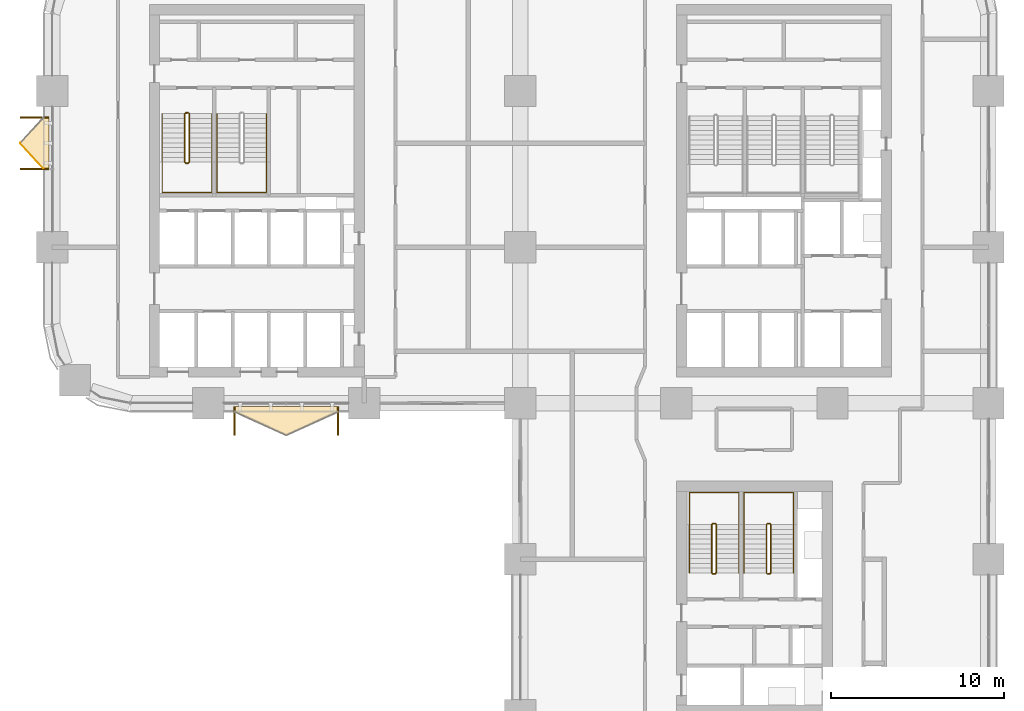
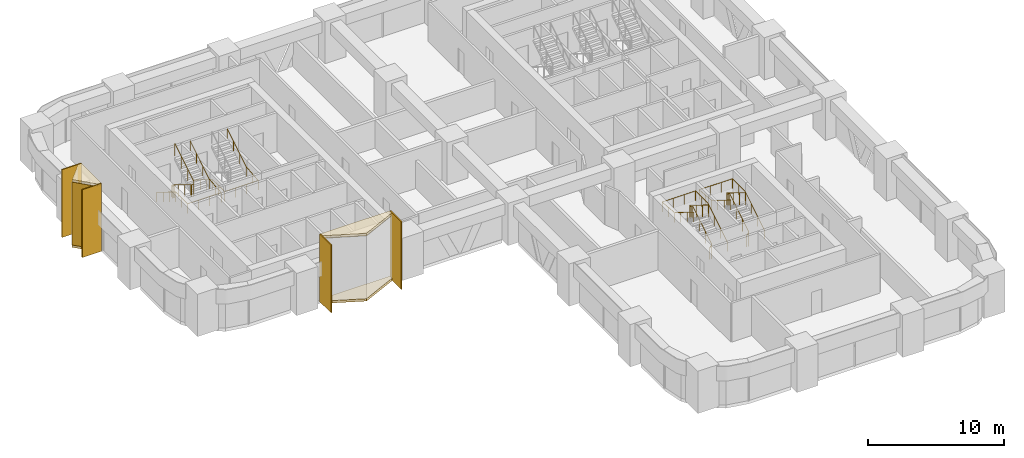
# One storey, part 17 of 18: 9 coverings, 7 railings.
"""IFC4 building model written with IfcOpenShell, lengths in metres."""

from ifc_helpers import new_model, si_unit, direction, frame, origin, origin_2d, place, context, subcontext, project, spatial, polyline, rectangle, circle, outline, extrude, material, layer, layer_set, type_object, element, save


model = new_model("IFC4")

# Units and contexts
model_context = context("Model", 3, precision=1e-05, world=origin(), true_north=direction((0.0, 1.0)))
body_context = subcontext(model_context, "Body", "Model", "MODEL_VIEW")
ifc_project = project(units=[si_unit("LENGTHUNIT", "METRE"), si_unit("AREAUNIT", "SQUARE_METRE"), si_unit("VOLUMEUNIT", "CUBIC_METRE"), si_unit("PLANEANGLEUNIT", "RADIAN"), si_unit("MASSUNIT", "GRAM", prefix="KILO")], contexts=[model_context])

# Site, building, storey
site_placement = place(None, origin())
site = spatial("IfcSite", under=ifc_project, at=site_placement, CompositionType="ELEMENT")
building_placement = place(site_placement, origin())
building = spatial("IfcBuilding", under=site, at=building_placement, Name="Tessera Arch", CompositionType="ELEMENT")
storey_placement = place(building_placement, frame((0.0, 0.0, 115.800048828125)))
storey = spatial("IfcBuildingStorey", under=building, at=storey_placement, Name="L27", CompositionType="ELEMENT", Elevation=115.800048828125)

# Railings
ifc_material_1 = material(Name="Painted steel balustrade", Category="steel")
railing_type_1 = type_object("IfcRailingType", Name="Stair guard 1100", PredefinedType="GUARDRAIL", material=ifc_material_1)
railing_1_placement = place(storey_placement, frame((7.699951171875, 43.75, 0.0)))
element("IfcRailing", 1, at=railing_1_placement, inside=storey, type_object=railing_type_1, Name="L27 S2a stair guard 1", PredefinedType="GUARDRAIL", context=body_context, shape_type="SweptSolid", body=[
    extrude(circle(Radius=0.02392578125, at=origin_2d()), frame((-0.00390625, 0.0, 1.076171875), z_axis=(1.0, 0.0, 0.0), x_axis=(0.0, 1.0, 0.0)), (0.0, 0.0, 1.0), 0.158203125),
    extrude(circle(Radius=0.02392578125, at=origin_2d()), frame((0.153076171875, 0.000732421875, 1.073486328125), z_axis=(-0.744141464035, -0.186035366009, 0.641595140332), x_axis=(0.242535625036, -0.970142500145, 0.0)), (0.0, 0.0, 1.0), 0.277099609375),
    extrude(circle(Radius=0.02392578125, at=origin_2d()), frame((-0.050048828125, -0.046630859375, 1.24658203125), z_axis=(0.0, -0.851089632645, 0.525020415988), x_axis=(1.0, 0.0, 0.0)), (0.0, 0.0, 1.0), 3.2978515625),
    extrude(circle(Radius=0.02392578125, at=origin_2d()), frame((-0.052978515625, -2.84716796875, 2.97607421875), z_axis=(0.708833529934, -0.705375805398, 0.0), x_axis=(0.705375805398, 0.708833529934, 0.0)), (0.0, 0.0, 1.0), 0.07861328125),
    extrude(circle(Radius=0.02392578125, at=origin_2d()), frame((-0.00390625, -2.89990234375, 2.97607421875), z_axis=(1.0, 0.0, 0.0), x_axis=(0.0, 1.0, 0.0)), (0.0, 0.0, 1.0), 0.158203125),
    extrude(circle(Radius=0.02392578125, at=origin_2d()), frame((0.149169921875, -2.90087890625, 2.97216796875), z_axis=(0.266832911964, 0.266832911964, 0.926067165051), x_axis=(-0.707106781187, 0.707106781187, 0.0)), (0.0, 0.0, 1.0), 0.194580078125),
    extrude(circle(Radius=0.02392578125, at=origin_2d()), frame((0.199951171875, -2.853515625, 3.146728515625), z_axis=(0.0, 0.851089632645, 0.525020415988), x_axis=(-1.0, 0.0, 0.0)), (0.0, 0.0, 1.0), 3.2978515625),
    extrude(circle(Radius=0.02099609375, at=origin_2d()), origin(), (0.0, 0.0, 1.0), 1.06396484375),
    extrude(circle(Radius=0.02099609375, at=origin_2d()), frame((0.150146484375, 0.0, 0.0)), (0.0, 0.0, 1.0), 1.06396484375),
    extrude(circle(Radius=0.02099609375, at=origin_2d()), frame((-0.050048828125, -0.050048828125, 0.172607421875)), (0.0, 0.0, 1.0), 1.06396484375),
    extrude(circle(Radius=0.02099609375, at=origin_2d()), frame((-0.050048828125, -0.9833984375, 0.748291015625)), (0.0, 0.0, 1.0), 1.06396484375),
    extrude(circle(Radius=0.02099609375, at=origin_2d()), frame((-0.050048828125, -1.916748046875, 1.32421875)), (0.0, 0.0, 1.0), 1.06396484375),
    extrude(circle(Radius=0.02099609375, at=origin_2d()), frame((-0.050048828125, -2.85009765625, 1.89990234375)), (0.0, 0.0, 1.0), 1.06396484375),
    extrude(circle(Radius=0.02099609375, at=origin_2d()), frame((0.0, -2.89990234375, 1.89990234375)), (0.0, 0.0, 1.0), 1.06396484375),
    extrude(circle(Radius=0.02099609375, at=origin_2d()), frame((0.150146484375, -2.89990234375, 1.89990234375)), (0.0, 0.0, 1.0), 1.06396484375),
    extrude(circle(Radius=0.02099609375, at=origin_2d()), frame((0.199951171875, -2.85009765625, 2.07275390625)), (0.0, 0.0, 1.0), 1.06396484375),
    extrude(circle(Radius=0.02099609375, at=origin_2d()), frame((0.199951171875, -1.916748046875, 2.6484375)), (0.0, 0.0, 1.0), 1.06396484375),
    extrude(circle(Radius=0.02099609375, at=origin_2d()), frame((0.199951171875, -0.9833984375, 3.224365234375)), (0.0, 0.0, 1.0), 1.06396484375),
    extrude(circle(Radius=0.02099609375, at=origin_2d()), frame((0.199951171875, -0.050048828125, 3.800048828125)), (0.0, 0.0, 1.0), 1.06396484375),
])
railing_2_placement = place(storey_placement, frame((38.25, 17.14990234375, 0.0)))
element("IfcRailing", 2, at=railing_2_placement, inside=storey, type_object=railing_type_1, Name="L27 S3a stair guard 1", PredefinedType="GUARDRAIL", context=body_context, shape_type="SweptSolid", body=[
    extrude(circle(Radius=0.02392578125, at=origin_2d()), frame((0.00390625, 0.0, 1.076171875), z_axis=(-1.0, 0.0, 0.0), x_axis=(0.0, -1.0, 0.0)), (0.0, 0.0, 1.0), 0.157958984375),
    extrude(circle(Radius=0.02392578125, at=origin_2d()), frame((-0.15283203125, -0.000732421875, 1.073486328125), z_axis=(0.743736083135, 0.18616104645, 0.642028584587), x_axis=(-0.242814311512, 0.970072785993, 0.0)), (0.0, 0.0, 1.0), 0.27685546875),
    extrude(circle(Radius=0.02392578125, at=origin_2d()), frame((0.050048828125, 0.046630859375, 1.24658203125), z_axis=(0.0, 0.851089632645, 0.525020415988), x_axis=(-1.0, 0.0, 0.0)), (0.0, 0.0, 1.0), 3.2978515625),
    extrude(circle(Radius=0.02392578125, at=origin_2d()), frame((0.052978515625, 2.84716796875, 2.97607421875), z_axis=(-0.707106781187, 0.707106781187, 0.0), x_axis=(-0.707106781187, -0.707106781187, 0.0)), (0.0, 0.0, 1.0), 0.078857421875),
    extrude(circle(Radius=0.02392578125, at=origin_2d()), frame((0.00390625, 2.900146484375, 2.97607421875), z_axis=(-1.0, 0.0, 0.0), x_axis=(0.0, -1.0, 0.0)), (0.0, 0.0, 1.0), 0.157958984375),
    extrude(circle(Radius=0.02392578125, at=origin_2d()), frame((-0.14892578125, 2.901123046875, 2.97216796875), z_axis=(-0.267953482034, -0.267953482034, 0.925419830635), x_axis=(0.707106781187, -0.707106781187, 0.0)), (0.0, 0.0, 1.0), 0.19482421875),
    extrude(circle(Radius=0.02392578125, at=origin_2d()), frame((-0.199951171875, 2.853515625, 3.146728515625), z_axis=(0.0, -0.851089632645, 0.525020415988), x_axis=(1.0, 0.0, 0.0)), (0.0, 0.0, 1.0), 3.2978515625),
    extrude(circle(Radius=0.02099609375, at=origin_2d()), origin(), (0.0, 0.0, 1.0), 1.06396484375),
    extrude(circle(Radius=0.02099609375, at=origin_2d()), frame((-0.14990234375, 0.0, 0.0)), (0.0, 0.0, 1.0), 1.06396484375),
    extrude(circle(Radius=0.02099609375, at=origin_2d()), frame((0.050048828125, 0.050048828125, 0.172607421875)), (0.0, 0.0, 1.0), 1.06396484375),
    extrude(circle(Radius=0.02099609375, at=origin_2d()), frame((0.050048828125, 0.9833984375, 0.748291015625)), (0.0, 0.0, 1.0), 1.06396484375),
    extrude(circle(Radius=0.02099609375, at=origin_2d()), frame((0.050048828125, 1.916748046875, 1.32421875)), (0.0, 0.0, 1.0), 1.06396484375),
    extrude(circle(Radius=0.02099609375, at=origin_2d()), frame((0.050048828125, 2.85009765625, 1.89990234375)), (0.0, 0.0, 1.0), 1.06396484375),
    extrude(circle(Radius=0.02099609375, at=origin_2d()), frame((0.0, 2.900146484375, 1.89990234375)), (0.0, 0.0, 1.0), 1.06396484375),
    extrude(circle(Radius=0.02099609375, at=origin_2d()), frame((-0.14990234375, 2.900146484375, 1.89990234375)), (0.0, 0.0, 1.0), 1.06396484375),
    extrude(circle(Radius=0.02099609375, at=origin_2d()), frame((-0.199951171875, 2.85009765625, 2.07275390625)), (0.0, 0.0, 1.0), 1.06396484375),
    extrude(circle(Radius=0.02099609375, at=origin_2d()), frame((-0.199951171875, 1.916748046875, 2.6484375)), (0.0, 0.0, 1.0), 1.06396484375),
    extrude(circle(Radius=0.02099609375, at=origin_2d()), frame((-0.199951171875, 0.9833984375, 3.224365234375)), (0.0, 0.0, 1.0), 1.06396484375),
    extrude(circle(Radius=0.02099609375, at=origin_2d()), frame((-0.199951171875, 0.050048828125, 3.800048828125)), (0.0, 0.0, 1.0), 1.06396484375),
])
railing_3_placement = place(storey_placement, frame((41.39990234375, 17.14990234375, 0.0)))
element("IfcRailing", 3, at=railing_3_placement, inside=storey, type_object=railing_type_1, Name="L27 S3b stair guard 1", PredefinedType="GUARDRAIL", context=body_context, shape_type="SweptSolid", body=[
    extrude(circle(Radius=0.02392578125, at=origin_2d()), frame((0.00390625, 0.0, 1.076171875), z_axis=(-1.0, 0.0, 0.0), x_axis=(0.0, -1.0, 0.0)), (0.0, 0.0, 1.0), 0.157958984375),
    extrude(circle(Radius=0.02392578125, at=origin_2d()), frame((-0.15283203125, -0.000732421875, 1.073486328125), z_axis=(0.743736083135, 0.18616104645, 0.642028584587), x_axis=(-0.242814311512, 0.970072785993, 0.0)), (0.0, 0.0, 1.0), 0.27685546875),
    extrude(circle(Radius=0.02392578125, at=origin_2d()), frame((0.050048828125, 0.046630859375, 1.24658203125), z_axis=(0.0, 0.851089632645, 0.525020415988), x_axis=(-1.0, 0.0, 0.0)), (0.0, 0.0, 1.0), 3.2978515625),
    extrude(circle(Radius=0.02392578125, at=origin_2d()), frame((0.052978515625, 2.84716796875, 2.97607421875), z_axis=(-0.707106781187, 0.707106781187, 0.0), x_axis=(-0.707106781187, -0.707106781187, 0.0)), (0.0, 0.0, 1.0), 0.078857421875),
    extrude(circle(Radius=0.02392578125, at=origin_2d()), frame((0.00390625, 2.900146484375, 2.97607421875), z_axis=(-1.0, 0.0, 0.0), x_axis=(0.0, -1.0, 0.0)), (0.0, 0.0, 1.0), 0.157958984375),
    extrude(circle(Radius=0.02392578125, at=origin_2d()), frame((-0.14892578125, 2.901123046875, 2.97216796875), z_axis=(-0.267953482034, -0.267953482034, 0.925419830635), x_axis=(0.707106781187, -0.707106781187, 0.0)), (0.0, 0.0, 1.0), 0.19482421875),
    extrude(circle(Radius=0.02392578125, at=origin_2d()), frame((-0.199951171875, 2.853515625, 3.146728515625), z_axis=(0.0, -0.851089632645, 0.525020415988), x_axis=(1.0, 0.0, 0.0)), (0.0, 0.0, 1.0), 3.2978515625),
    extrude(circle(Radius=0.02099609375, at=origin_2d()), origin(), (0.0, 0.0, 1.0), 1.06396484375),
    extrude(circle(Radius=0.02099609375, at=origin_2d()), frame((-0.14990234375, 0.0, 0.0)), (0.0, 0.0, 1.0), 1.06396484375),
    extrude(circle(Radius=0.02099609375, at=origin_2d()), frame((0.050048828125, 0.050048828125, 0.172607421875)), (0.0, 0.0, 1.0), 1.06396484375),
    extrude(circle(Radius=0.02099609375, at=origin_2d()), frame((0.050048828125, 0.9833984375, 0.748291015625)), (0.0, 0.0, 1.0), 1.06396484375),
    extrude(circle(Radius=0.02099609375, at=origin_2d()), frame((0.050048828125, 1.916748046875, 1.32421875)), (0.0, 0.0, 1.0), 1.06396484375),
    extrude(circle(Radius=0.02099609375, at=origin_2d()), frame((0.050048828125, 2.85009765625, 1.89990234375)), (0.0, 0.0, 1.0), 1.06396484375),
    extrude(circle(Radius=0.02099609375, at=origin_2d()), frame((0.0, 2.900146484375, 1.89990234375)), (0.0, 0.0, 1.0), 1.06396484375),
    extrude(circle(Radius=0.02099609375, at=origin_2d()), frame((-0.14990234375, 2.900146484375, 1.89990234375)), (0.0, 0.0, 1.0), 1.06396484375),
    extrude(circle(Radius=0.02099609375, at=origin_2d()), frame((-0.199951171875, 2.85009765625, 2.07275390625)), (0.0, 0.0, 1.0), 1.06396484375),
    extrude(circle(Radius=0.02099609375, at=origin_2d()), frame((-0.199951171875, 1.916748046875, 2.6484375)), (0.0, 0.0, 1.0), 1.06396484375),
    extrude(circle(Radius=0.02099609375, at=origin_2d()), frame((-0.199951171875, 0.9833984375, 3.224365234375)), (0.0, 0.0, 1.0), 1.06396484375),
    extrude(circle(Radius=0.02099609375, at=origin_2d()), frame((-0.199951171875, 0.050048828125, 3.800048828125)), (0.0, 0.0, 1.0), 1.06396484375),
])
ifc_material_2 = material(Name="Painted steel handrail", Category="steel")
railing_type_2 = type_object("IfcRailingType", Name="Stair handrail 900", PredefinedType="HANDRAIL", material=ifc_material_2)
railing_4_placement = place(storey_placement, frame((6.35009765625, 43.699951171875, 0.172607421875)))
element("IfcRailing", 4, at=railing_4_placement, inside=storey, type_object=railing_type_2, Name="L27 S2a stair handrail", PredefinedType="HANDRAIL", context=body_context, shape_type="SweptSolid", body=[
    extrude(circle(Radius=0.02392578125, at=origin_2d()), frame((0.0, 0.00341796875, 0.873779296875), z_axis=(0.0, -0.851089632645, 0.525020415988), x_axis=(1.0, 0.0, 0.0)), (0.0, 0.0, 1.0), 3.2978515625),
    extrude(circle(Radius=0.02392578125, at=origin_2d()), frame((0.0, -2.796142578125, 2.60302734375), z_axis=(0.0, -1.0, 0.0), x_axis=(1.0, 0.0, 0.0)), (0.0, 0.0, 1.0), 1.758056640625),
    extrude(circle(Radius=0.02392578125, at=origin_2d()), frame((-0.00390625, -4.550048828125, 2.60302734375), z_axis=(1.0, 0.0, 0.0), x_axis=(0.0, 1.0, 0.0)), (0.0, 0.0, 1.0), 2.85791015625),
    extrude(circle(Radius=0.02392578125, at=origin_2d()), frame((2.849853515625, -4.553955078125, 2.602783203125), z_axis=(0.0, 0.995157418657, 0.098294008428), x_axis=(-1.0, 0.0, 0.0)), (0.0, 0.0, 1.0), 1.7666015625),
    extrude(circle(Radius=0.02392578125, at=origin_2d()), frame((2.849853515625, -2.803466796875, 2.77392578125), z_axis=(0.0, 0.851089632645, 0.525020415988), x_axis=(-1.0, 0.0, 0.0)), (0.0, 0.0, 1.0), 3.2978515625),
    extrude(circle(Radius=0.02099609375, at=origin_2d()), origin(), (0.0, 0.0, 1.0), 0.86376953125),
    extrude(circle(Radius=0.02099609375, at=origin_2d()), frame((0.0, -0.933349609375, 0.57568359375)), (0.0, 0.0, 1.0), 0.86376953125),
    extrude(circle(Radius=0.02099609375, at=origin_2d()), frame((0.0, -1.86669921875, 1.151611328125)), (0.0, 0.0, 1.0), 0.86376953125),
    extrude(circle(Radius=0.02099609375, at=origin_2d()), frame((0.0, -2.800048828125, 1.727294921875)), (0.0, 0.0, 1.0), 0.86376953125),
    extrude(circle(Radius=0.02099609375, at=origin_2d()), frame((0.0, -3.675048828125, 1.727294921875)), (0.0, 0.0, 1.0), 0.86376953125),
    extrude(circle(Radius=0.02099609375, at=origin_2d()), frame((0.0, -4.550048828125, 1.727294921875)), (0.0, 0.0, 1.0), 0.86376953125),
    extrude(circle(Radius=0.02099609375, at=origin_2d()), frame((0.949951171875, -4.550048828125, 1.727294921875)), (0.0, 0.0, 1.0), 0.86376953125),
    extrude(circle(Radius=0.02099609375, at=origin_2d()), frame((1.89990234375, -4.550048828125, 1.727294921875)), (0.0, 0.0, 1.0), 0.86376953125),
    extrude(circle(Radius=0.02099609375, at=origin_2d()), frame((2.849853515625, -4.550048828125, 1.727294921875)), (0.0, 0.0, 1.0), 0.86376953125),
    extrude(circle(Radius=0.02099609375, at=origin_2d()), frame((2.849853515625, -3.675048828125, 1.813720703125)), (0.0, 0.0, 1.0), 0.86376953125),
    extrude(circle(Radius=0.02099609375, at=origin_2d()), frame((2.849853515625, -2.800048828125, 1.900146484375)), (0.0, 0.0, 1.0), 0.86376953125),
    extrude(circle(Radius=0.02099609375, at=origin_2d()), frame((2.849853515625, -1.86669921875, 2.475830078125)), (0.0, 0.0, 1.0), 0.86376953125),
    extrude(circle(Radius=0.02099609375, at=origin_2d()), frame((2.849853515625, -0.933349609375, 3.0517578125)), (0.0, 0.0, 1.0), 0.86376953125),
    extrude(circle(Radius=0.02099609375, at=origin_2d()), frame((2.849853515625, 0.0, 3.62744140625)), (0.0, 0.0, 1.0), 0.86376953125),
])
railing_5_placement = place(storey_placement, frame((9.5, 43.699951171875, 0.172607421875)))
element("IfcRailing", 5, at=railing_5_placement, inside=storey, type_object=railing_type_2, Name="L27 S2b stair handrail", PredefinedType="HANDRAIL", context=body_context, shape_type="SweptSolid", body=[
    extrude(circle(Radius=0.02392578125, at=origin_2d()), frame((0.0, 0.00341796875, 0.873779296875), z_axis=(0.0, -0.851089632645, 0.525020415988), x_axis=(1.0, 0.0, 0.0)), (0.0, 0.0, 1.0), 3.2978515625),
    extrude(circle(Radius=0.02392578125, at=origin_2d()), frame((0.0, -2.796142578125, 2.60302734375), z_axis=(0.0, -1.0, 0.0), x_axis=(1.0, 0.0, 0.0)), (0.0, 0.0, 1.0), 1.758056640625),
    extrude(circle(Radius=0.02392578125, at=origin_2d()), frame((-0.00390625, -4.550048828125, 2.60302734375), z_axis=(1.0, 0.0, 0.0), x_axis=(0.0, 1.0, 0.0)), (0.0, 0.0, 1.0), 2.858154296875),
    extrude(circle(Radius=0.02392578125, at=origin_2d()), frame((2.85009765625, -4.553955078125, 2.602783203125), z_axis=(0.0, 0.995157418657, 0.098294008428), x_axis=(-1.0, 0.0, 0.0)), (0.0, 0.0, 1.0), 1.7666015625),
    extrude(circle(Radius=0.02392578125, at=origin_2d()), frame((2.85009765625, -2.803466796875, 2.77392578125), z_axis=(0.0, 0.851089632645, 0.525020415988), x_axis=(-1.0, 0.0, 0.0)), (0.0, 0.0, 1.0), 3.2978515625),
    extrude(circle(Radius=0.02099609375, at=origin_2d()), origin(), (0.0, 0.0, 1.0), 0.86376953125),
    extrude(circle(Radius=0.02099609375, at=origin_2d()), frame((0.0, -0.933349609375, 0.57568359375)), (0.0, 0.0, 1.0), 0.86376953125),
    extrude(circle(Radius=0.02099609375, at=origin_2d()), frame((0.0, -1.86669921875, 1.151611328125)), (0.0, 0.0, 1.0), 0.86376953125),
    extrude(circle(Radius=0.02099609375, at=origin_2d()), frame((0.0, -2.800048828125, 1.727294921875)), (0.0, 0.0, 1.0), 0.86376953125),
    extrude(circle(Radius=0.02099609375, at=origin_2d()), frame((0.0, -3.675048828125, 1.727294921875)), (0.0, 0.0, 1.0), 0.86376953125),
    extrude(circle(Radius=0.02099609375, at=origin_2d()), frame((0.0, -4.550048828125, 1.727294921875)), (0.0, 0.0, 1.0), 0.86376953125),
    extrude(circle(Radius=0.02099609375, at=origin_2d()), frame((0.949951171875, -4.550048828125, 1.727294921875)), (0.0, 0.0, 1.0), 0.86376953125),
    extrude(circle(Radius=0.02099609375, at=origin_2d()), frame((1.900146484375, -4.550048828125, 1.727294921875)), (0.0, 0.0, 1.0), 0.86376953125),
    extrude(circle(Radius=0.02099609375, at=origin_2d()), frame((2.85009765625, -4.550048828125, 1.727294921875)), (0.0, 0.0, 1.0), 0.86376953125),
    extrude(circle(Radius=0.02099609375, at=origin_2d()), frame((2.85009765625, -3.675048828125, 1.813720703125)), (0.0, 0.0, 1.0), 0.86376953125),
    extrude(circle(Radius=0.02099609375, at=origin_2d()), frame((2.85009765625, -2.800048828125, 1.900146484375)), (0.0, 0.0, 1.0), 0.86376953125),
    extrude(circle(Radius=0.02099609375, at=origin_2d()), frame((2.85009765625, -1.86669921875, 2.475830078125)), (0.0, 0.0, 1.0), 0.86376953125),
    extrude(circle(Radius=0.02099609375, at=origin_2d()), frame((2.85009765625, -0.933349609375, 3.0517578125)), (0.0, 0.0, 1.0), 0.86376953125),
    extrude(circle(Radius=0.02099609375, at=origin_2d()), frame((2.85009765625, 0.0, 3.62744140625)), (0.0, 0.0, 1.0), 0.86376953125),
])
railing_6_placement = place(storey_placement, frame((39.60009765625, 17.199951171875, 0.172607421875)))
element("IfcRailing", 6, at=railing_6_placement, inside=storey, type_object=railing_type_2, Name="L27 S3a stair handrail", PredefinedType="HANDRAIL", context=body_context, shape_type="SweptSolid", body=[
    extrude(circle(Radius=0.02392578125, at=origin_2d()), frame((0.0, -0.00341796875, 0.873779296875), z_axis=(0.0, 0.851089632645, 0.525020415988), x_axis=(-1.0, 0.0, 0.0)), (0.0, 0.0, 1.0), 3.2978515625),
    extrude(circle(Radius=0.02392578125, at=origin_2d()), frame((0.0, 2.796142578125, 2.60302734375), z_axis=(0.0, 1.0, 0.0), x_axis=(-1.0, 0.0, 0.0)), (0.0, 0.0, 1.0), 1.858154296875),
    extrude(circle(Radius=0.02392578125, at=origin_2d()), frame((0.00390625, 4.650146484375, 2.60302734375), z_axis=(-1.0, 0.0, 0.0), x_axis=(0.0, -1.0, 0.0)), (0.0, 0.0, 1.0), 2.858154296875),
    extrude(circle(Radius=0.02392578125, at=origin_2d()), frame((-2.85009765625, 4.654052734375, 2.602783203125), z_axis=(0.0, -0.99566393824, 0.093023234135), x_axis=(1.0, 0.0, 0.0)), (0.0, 0.0, 1.0), 1.8662109375),
    extrude(circle(Radius=0.02392578125, at=origin_2d()), frame((-2.85009765625, 2.803466796875, 2.77392578125), z_axis=(0.0, -0.851089632645, 0.525020415988), x_axis=(1.0, 0.0, 0.0)), (0.0, 0.0, 1.0), 3.2978515625),
    extrude(circle(Radius=0.02099609375, at=origin_2d()), origin(), (0.0, 0.0, 1.0), 0.86376953125),
    extrude(circle(Radius=0.02099609375, at=origin_2d()), frame((0.0, 0.933349609375, 0.57568359375)), (0.0, 0.0, 1.0), 0.86376953125),
    extrude(circle(Radius=0.02099609375, at=origin_2d()), frame((0.0, 1.86669921875, 1.151611328125)), (0.0, 0.0, 1.0), 0.86376953125),
    extrude(circle(Radius=0.02099609375, at=origin_2d()), frame((0.0, 2.800048828125, 1.727294921875)), (0.0, 0.0, 1.0), 0.86376953125),
    extrude(circle(Radius=0.02099609375, at=origin_2d()), frame((0.0, 3.72509765625, 1.727294921875)), (0.0, 0.0, 1.0), 0.86376953125),
    extrude(circle(Radius=0.02099609375, at=origin_2d()), frame((0.0, 4.650146484375, 1.727294921875)), (0.0, 0.0, 1.0), 0.86376953125),
    extrude(circle(Radius=0.02099609375, at=origin_2d()), frame((-0.949951171875, 4.650146484375, 1.727294921875)), (0.0, 0.0, 1.0), 0.86376953125),
    extrude(circle(Radius=0.02099609375, at=origin_2d()), frame((-1.900146484375, 4.650146484375, 1.727294921875)), (0.0, 0.0, 1.0), 0.86376953125),
    extrude(circle(Radius=0.02099609375, at=origin_2d()), frame((-2.85009765625, 4.650146484375, 1.727294921875)), (0.0, 0.0, 1.0), 0.86376953125),
    extrude(circle(Radius=0.02099609375, at=origin_2d()), frame((-2.85009765625, 3.72509765625, 1.813720703125)), (0.0, 0.0, 1.0), 0.86376953125),
    extrude(circle(Radius=0.02099609375, at=origin_2d()), frame((-2.85009765625, 2.800048828125, 1.900146484375)), (0.0, 0.0, 1.0), 0.86376953125),
    extrude(circle(Radius=0.02099609375, at=origin_2d()), frame((-2.85009765625, 1.86669921875, 2.475830078125)), (0.0, 0.0, 1.0), 0.86376953125),
    extrude(circle(Radius=0.02099609375, at=origin_2d()), frame((-2.85009765625, 0.933349609375, 3.0517578125)), (0.0, 0.0, 1.0), 0.86376953125),
    extrude(circle(Radius=0.02099609375, at=origin_2d()), frame((-2.85009765625, 0.0, 3.62744140625)), (0.0, 0.0, 1.0), 0.86376953125),
])
railing_7_placement = place(storey_placement, frame((42.75, 17.199951171875, 0.172607421875)))
element("IfcRailing", 7, at=railing_7_placement, inside=storey, type_object=railing_type_2, Name="L27 S3b stair handrail", PredefinedType="HANDRAIL", context=body_context, shape_type="SweptSolid", body=[
    extrude(circle(Radius=0.02392578125, at=origin_2d()), frame((0.0, -0.00341796875, 0.873779296875), z_axis=(0.0, 0.851089632645, 0.525020415988), x_axis=(-1.0, 0.0, 0.0)), (0.0, 0.0, 1.0), 3.2978515625),
    extrude(circle(Radius=0.02392578125, at=origin_2d()), frame((0.0, 2.796142578125, 2.60302734375), z_axis=(0.0, 1.0, 0.0), x_axis=(-1.0, 0.0, 0.0)), (0.0, 0.0, 1.0), 1.858154296875),
    extrude(circle(Radius=0.02392578125, at=origin_2d()), frame((0.00390625, 4.650146484375, 2.60302734375), z_axis=(-1.0, 0.0, 0.0), x_axis=(0.0, -1.0, 0.0)), (0.0, 0.0, 1.0), 2.858154296875),
    extrude(circle(Radius=0.02392578125, at=origin_2d()), frame((-2.85009765625, 4.654052734375, 2.602783203125), z_axis=(0.0, -0.99566393824, 0.093023234135), x_axis=(1.0, 0.0, 0.0)), (0.0, 0.0, 1.0), 1.8662109375),
    extrude(circle(Radius=0.02392578125, at=origin_2d()), frame((-2.85009765625, 2.803466796875, 2.77392578125), z_axis=(0.0, -0.851089632645, 0.525020415988), x_axis=(1.0, 0.0, 0.0)), (0.0, 0.0, 1.0), 3.2978515625),
    extrude(circle(Radius=0.02099609375, at=origin_2d()), origin(), (0.0, 0.0, 1.0), 0.86376953125),
    extrude(circle(Radius=0.02099609375, at=origin_2d()), frame((0.0, 0.933349609375, 0.57568359375)), (0.0, 0.0, 1.0), 0.86376953125),
    extrude(circle(Radius=0.02099609375, at=origin_2d()), frame((0.0, 1.86669921875, 1.151611328125)), (0.0, 0.0, 1.0), 0.86376953125),
    extrude(circle(Radius=0.02099609375, at=origin_2d()), frame((0.0, 2.800048828125, 1.727294921875)), (0.0, 0.0, 1.0), 0.86376953125),
    extrude(circle(Radius=0.02099609375, at=origin_2d()), frame((0.0, 3.72509765625, 1.727294921875)), (0.0, 0.0, 1.0), 0.86376953125),
    extrude(circle(Radius=0.02099609375, at=origin_2d()), frame((0.0, 4.650146484375, 1.727294921875)), (0.0, 0.0, 1.0), 0.86376953125),
    extrude(circle(Radius=0.02099609375, at=origin_2d()), frame((-0.949951171875, 4.650146484375, 1.727294921875)), (0.0, 0.0, 1.0), 0.86376953125),
    extrude(circle(Radius=0.02099609375, at=origin_2d()), frame((-1.900146484375, 4.650146484375, 1.727294921875)), (0.0, 0.0, 1.0), 0.86376953125),
    extrude(circle(Radius=0.02099609375, at=origin_2d()), frame((-2.85009765625, 4.650146484375, 1.727294921875)), (0.0, 0.0, 1.0), 0.86376953125),
    extrude(circle(Radius=0.02099609375, at=origin_2d()), frame((-2.85009765625, 3.72509765625, 1.813720703125)), (0.0, 0.0, 1.0), 0.86376953125),
    extrude(circle(Radius=0.02099609375, at=origin_2d()), frame((-2.85009765625, 2.800048828125, 1.900146484375)), (0.0, 0.0, 1.0), 0.86376953125),
    extrude(circle(Radius=0.02099609375, at=origin_2d()), frame((-2.85009765625, 1.86669921875, 2.475830078125)), (0.0, 0.0, 1.0), 0.86376953125),
    extrude(circle(Radius=0.02099609375, at=origin_2d()), frame((-2.85009765625, 0.933349609375, 3.0517578125)), (0.0, 0.0, 1.0), 0.86376953125),
    extrude(circle(Radius=0.02099609375, at=origin_2d()), frame((-2.85009765625, 0.0, 3.62744140625)), (0.0, 0.0, 1.0), 0.86376953125),
])

# Coverings
ifc_material_3 = material(Name="Anodised aluminium pale metal", Category="aluminium")
ifc_layer_1 = layer(ifc_material_3, 0.080078125)
ifc_layer_set_1 = layer_set([ifc_layer_1], Name="Window box cheek")
covering_type_1 = type_object("IfcCoveringType", Name="Window box cheek", PredefinedType="CLADDING", material=ifc_layer_set_1)
covering_1_placement = place(storey_placement, origin())
element("IfcCovering", 8, at=covering_1_placement, inside=storey, type_object=covering_type_1, Name="Window box W0.27/1.0 1x2 cheek", PredefinedType="CLADDING", context=body_context, shape_type="SweptSolid", body=[
    extrude(outline(polyline([(-1.85009765625, 43.530029296875), (-1.85009765625, 43.449951171875), (-0.199951171875, 43.449951171875), (-0.199951171875, 43.530029296875), (-1.85009765625, 43.530029296875)])), origin(), (0.0, 0.0, 1.0), 6.099853515625),
])
covering_2_placement = place(storey_placement, origin())
element("IfcCovering", 9, at=covering_2_placement, inside=storey, type_object=covering_type_1, Name="Window box W0.27/1.0 1x2 cheek", PredefinedType="CLADDING", context=body_context, shape_type="SweptSolid", body=[
    extrude(outline(polyline([(-1.85009765625, 40.550048828125), (-1.85009765625, 40.469970703125), (-0.199951171875, 40.469970703125), (-0.199951171875, 40.550048828125), (-1.85009765625, 40.550048828125)])), origin(), (0.0, 0.0, 1.0), 6.099853515625),
])
covering_3_placement = place(storey_placement, origin())
element("IfcCovering", 10, at=covering_3_placement, inside=storey, type_object=covering_type_1, Name="Window box S27.0/1.0 2x2 cheek", PredefinedType="CLADDING", context=body_context, shape_type="SweptSolid", body=[
    extrude(outline(polyline([(10.469970703125, 25.14990234375), (10.550048828125, 25.14990234375), (10.550048828125, 26.800048828125), (10.469970703125, 26.800048828125), (10.469970703125, 25.14990234375)])), origin(), (0.0, 0.0, 1.0), 6.099853515625),
])
covering_4_placement = place(storey_placement, origin())
element("IfcCovering", 11, at=covering_4_placement, inside=storey, type_object=covering_type_1, Name="Window box S27.0/1.0 2x2 cheek", PredefinedType="CLADDING", context=body_context, shape_type="SweptSolid", body=[
    extrude(outline(polyline([(16.449951171875, 25.14990234375), (16.530029296875, 25.14990234375), (16.530029296875, 26.800048828125), (16.449951171875, 26.800048828125), (16.449951171875, 25.14990234375)])), origin(), (0.0, 0.0, 1.0), 6.099853515625),
])
ifc_material_4 = material(Name="Anodised aluminium cobalt blue", Category="aluminium")
ifc_layer_2 = layer(ifc_material_4, 0.219970703125)
ifc_layer_set_2 = layer_set([ifc_layer_2], Name="Window box frame plate cobalt")
covering_type_2 = type_object("IfcCoveringType", Name="Window box frame plate cobalt", PredefinedType="CLADDING", material=ifc_layer_set_2)
for number, where, name in (
    (12, (0.0, 0.0, 0.0), "Window box S27.0/1.0 2x2 floor"),
    (13, (0.0, 0.0, 5.8798828125), "Window box S27.0/1.0 2x2 roof"),
):
    element("IfcCovering", number, at=place(storey_placement, frame(where)), inside=storey, type_object=covering_type_2, Name=name, PredefinedType="CLADDING", context=body_context, shape_type="SweptSolid", body=[
        extrude(outline(polyline([(10.550048828125, 26.489990234375), (13.5, 25.14990234375), (16.449951171875, 26.489990234375), (16.449951171875, 26.800048828125), (10.550048828125, 26.800048828125), (10.550048828125, 26.489990234375)])), origin(), (0.0, 0.0, 1.0), 0.219970703125),
    ])
ifc_material_5 = material(Name="Anodised aluminium pale metal", Category="aluminium")
ifc_layer_3 = layer(ifc_material_5, 0.219970703125)
ifc_layer_set_3 = layer_set([ifc_layer_3], Name="Window box frame plate pale metal")
covering_type_3 = type_object("IfcCoveringType", Name="Window box frame plate pale metal", PredefinedType="CLADDING", material=ifc_layer_set_3)
for number, where, name in (
    (14, (0.0, 0.0, 0.0), "Window box W0.27/1.0 1x2 floor"),
    (15, (0.0, 0.0, 5.8798828125), "Window box W0.27/1.0 1x2 roof"),
):
    element("IfcCovering", number, at=place(storey_placement, frame(where)), inside=storey, type_object=covering_type_3, Name=name, PredefinedType="CLADDING", context=body_context, shape_type="SweptSolid", body=[
        extrude(outline(polyline([(-0.510009765625, 43.449951171875), (-1.85009765625, 42.0), (-0.510009765625, 40.550048828125), (-0.199951171875, 40.550048828125), (-0.199951171875, 43.449951171875), (-0.510009765625, 43.449951171875)])), origin(), (0.0, 0.0, 1.0), 0.219970703125),
    ])
ifc_material_6 = material(Name="Anodised aluminium pale metal", Category="aluminium")
ifc_layer_4 = layer(ifc_material_6, 0.028076171875)
ifc_layer_set_4 = layer_set([ifc_layer_4], Name="Window box side panel")
covering_type_4 = type_object("IfcCoveringType", Name="Window box side panel", PredefinedType="CLADDING", material=ifc_layer_set_4)
covering_5_placement = place(storey_placement, frame((-1.179931640625, 41.27490234375, 0.22021484375), z_axis=(0.0, 0.0, 1.0), x_axis=(-0.678700720617, 0.734414958885, 0.0)))
element("IfcCovering", 16, at=covering_5_placement, inside=storey, type_object=covering_type_4, Name="Window box W0.27/1.0 1x2 side panel", PredefinedType="CLADDING", context=body_context, shape_type="SweptSolid", body=[
    extrude(rectangle(XDim=1.974365234375, YDim=0.028076171875, at=origin_2d()), origin(), (0.0, 0.0, 1.0), 5.659912109375),
])

save(model, "model.ifc")
